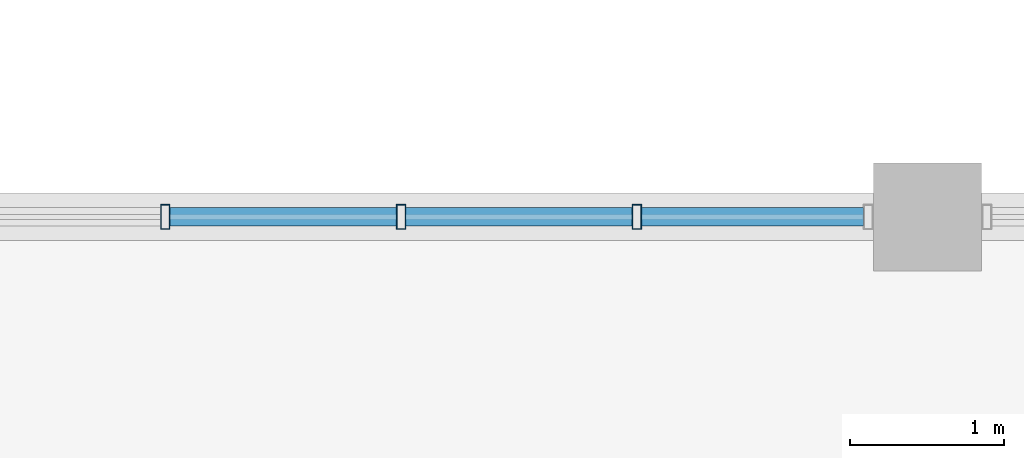
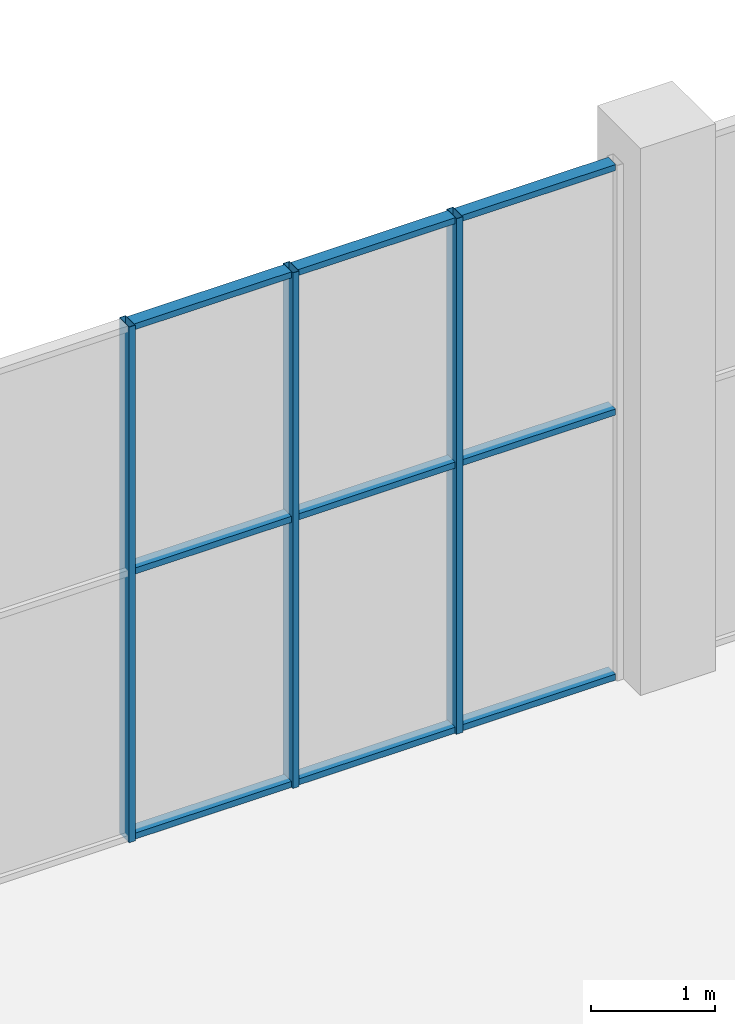
# One storey, part 28 of 91: 12 members, 1 element without a shape of its own.
"""IFC4 building model written with IfcOpenShell, lengths in metres."""

from ifc_helpers import new_model, si_unit, direction, frame, origin, origin_2d, place, context, subcontext, project, spatial, hollow_rectangle, extrude, material, material_profile, profile_set, type_object, element, aggregate, save


model = new_model("IFC4")

# Units and contexts
model_context = context("Model", 3, precision=1e-05, world=origin(), true_north=direction((0.0, 1.0)))
body_context = subcontext(model_context, "Body", "Model", "MODEL_VIEW")
ifc_project = project(units=[si_unit("LENGTHUNIT", "METRE"), si_unit("AREAUNIT", "SQUARE_METRE"), si_unit("VOLUMEUNIT", "CUBIC_METRE"), si_unit("PLANEANGLEUNIT", "RADIAN"), si_unit("MASSUNIT", "GRAM", prefix="KILO")], contexts=[model_context])

# Site, building, storey
site_placement = place(None, origin())
site = spatial("IfcSite", under=ifc_project, at=site_placement, CompositionType="ELEMENT")
building_placement = place(site_placement, origin())
building = spatial("IfcBuilding", under=site, at=building_placement, Name="Khurvash Pelagic Aquarium", CompositionType="ELEMENT")
storey_placement = place(building_placement, origin())
storey = spatial("IfcBuildingStorey", under=building, at=storey_placement, Name="L00", CompositionType="ELEMENT", Elevation=0.0)

# Curtain wall, members
ifc_material_1 = material(Name="Anodised aluminium and low-E laminated glass", Category="aluminium")
curtain_wall_type = type_object("IfcCurtainWallType", Name="CW-02", PredefinedType="USERDEFINED", material=ifc_material_1)
curtain_wall_placement = place(storey_placement, origin())
curtain_wall = element("IfcCurtainWall", 1, at=curtain_wall_placement, inside=storey, type_object=curtain_wall_type, Name="L00 Facade Unitised Curtain Wall CW-02 0091", ObjectType="UNITISED CURTAIN WALL", PredefinedType="USERDEFINED")
ifc_material_2 = material(Name="Extruded aluminium AW-6063-T6", Category="aluminium")
ifc_material_profile_1 = material_profile(ifc_material_2, hollow_rectangle(XDim=0.06005859375, YDim=0.159912109375, WallThickness=0.00390625, at=origin_2d()), Name="CWM60X160X4")
ifc_profile_set_1 = profile_set([ifc_material_profile_1], Name="Extruded aluminium AW-6063-T6")
member_type_1 = type_object("IfcMemberType", Name="CM-02", PredefinedType="MULLION", material=ifc_profile_set_1)
member_1_placement = place(storey_placement, frame((115.717041015625, 29.75, 0.0), z_axis=(0.0, 0.0, 1.0), x_axis=(-1.0, 0.0, 0.0)))
member_1 = element("IfcMember", 2, at=member_1_placement, type_object=member_type_1, Name="CW-02 mullion 2", PredefinedType="MULLION", context=body_context, shape_type="SweptSolid", body=[
    extrude(hollow_rectangle(XDim=0.06005859375, YDim=0.159912109375, WallThickness=0.00390625, at=origin_2d()), origin(), (0.0, 0.0, 1.0), 5.090087890625),
])
member_2_placement = place(storey_placement, frame((114.18896484375, 29.75, 0.0), z_axis=(0.0, 0.0, 1.0), x_axis=(-1.0, 0.0, 0.0)))
member_2 = element("IfcMember", 3, at=member_2_placement, type_object=member_type_1, Name="CW-02 mullion 3", PredefinedType="MULLION", context=body_context, shape_type="SweptSolid", body=[
    extrude(hollow_rectangle(XDim=0.06005859375, YDim=0.159912109375, WallThickness=0.00390625, at=origin_2d()), origin(), (0.0, 0.0, 1.0), 5.090087890625),
])
member_3_placement = place(storey_placement, frame((112.660888671875, 29.75, 0.0), z_axis=(0.0, 0.0, 1.0), x_axis=(-1.0, 0.0, 0.0)))
member_3 = element("IfcMember", 4, at=member_3_placement, type_object=member_type_1, Name="CW-02 mullion 4", PredefinedType="MULLION", context=body_context, shape_type="SweptSolid", body=[
    extrude(hollow_rectangle(XDim=0.06005859375, YDim=0.159912109375, WallThickness=0.00390625, at=origin_2d()), origin(), (0.0, 0.0, 1.0), 5.090087890625),
])
ifc_material_profile_2 = material_profile(ifc_material_2, hollow_rectangle(XDim=0.1201171875, YDim=0.06005859375, WallThickness=0.00390625, at=origin_2d()), Name="CWT120X60X4")
ifc_profile_set_2 = profile_set([ifc_material_profile_2], Name="Extruded aluminium AW-6063-T6")
member_type_2 = type_object("IfcMemberType", Name="CT-02", PredefinedType="USERDEFINED", material=ifc_profile_set_2)
member_4_placement = place(storey_placement, frame((117.18505859375, 29.75, 0.030029296875), z_axis=(-1.0, 0.0, 0.0), x_axis=(0.0, -1.0, 0.0)))
member_4 = element("IfcMember", 5, at=member_4_placement, type_object=member_type_2, Name="CW-02 transom 1.1", ObjectType="TRANSOM", PredefinedType="USERDEFINED", context=body_context, shape_type="SweptSolid", body=[
    extrude(hollow_rectangle(XDim=0.1201171875, YDim=0.06005859375, WallThickness=0.00390625, at=origin_2d()), origin(), (0.0, 0.0, 1.0), 1.43798828125),
])
member_5_placement = place(storey_placement, frame((117.18505859375, 29.75, 2.64697265625), z_axis=(-1.0, 0.0, 0.0), x_axis=(0.0, -1.0, 0.0)))
member_5 = element("IfcMember", 6, at=member_5_placement, type_object=member_type_2, Name="CW-02 transom 1.2", ObjectType="TRANSOM", PredefinedType="USERDEFINED", context=body_context, shape_type="SweptSolid", body=[
    extrude(hollow_rectangle(XDim=0.1201171875, YDim=0.06005859375, WallThickness=0.00390625, at=origin_2d()), origin(), (0.0, 0.0, 1.0), 1.43798828125),
])
member_6_placement = place(storey_placement, frame((117.18505859375, 29.75, 5.06005859375), z_axis=(-1.0, 0.0, 0.0), x_axis=(0.0, -1.0, 0.0)))
member_6 = element("IfcMember", 7, at=member_6_placement, type_object=member_type_2, Name="CW-02 transom 1.3", ObjectType="TRANSOM", PredefinedType="USERDEFINED", context=body_context, shape_type="SweptSolid", body=[
    extrude(hollow_rectangle(XDim=0.1201171875, YDim=0.06005859375, WallThickness=0.00390625, at=origin_2d()), origin(), (0.0, 0.0, 1.0), 1.43798828125),
])
member_7_placement = place(storey_placement, frame((115.68701171875, 29.75, 0.030029296875), z_axis=(-1.0, 0.0, 0.0), x_axis=(0.0, -1.0, 0.0)))
member_7 = element("IfcMember", 8, at=member_7_placement, type_object=member_type_2, Name="CW-02 transom 2.1", ObjectType="TRANSOM", PredefinedType="USERDEFINED", context=body_context, shape_type="SweptSolid", body=[
    extrude(hollow_rectangle(XDim=0.1201171875, YDim=0.06005859375, WallThickness=0.00390625, at=origin_2d()), origin(), (0.0, 0.0, 1.0), 1.468017578125),
])
member_8_placement = place(storey_placement, frame((115.68701171875, 29.75, 2.64697265625), z_axis=(-1.0, 0.0, 0.0), x_axis=(0.0, -1.0, 0.0)))
member_8 = element("IfcMember", 9, at=member_8_placement, type_object=member_type_2, Name="CW-02 transom 2.2", ObjectType="TRANSOM", PredefinedType="USERDEFINED", context=body_context, shape_type="SweptSolid", body=[
    extrude(hollow_rectangle(XDim=0.1201171875, YDim=0.06005859375, WallThickness=0.00390625, at=origin_2d()), origin(), (0.0, 0.0, 1.0), 1.468017578125),
])
member_9_placement = place(storey_placement, frame((115.68701171875, 29.75, 5.06005859375), z_axis=(-1.0, 0.0, 0.0), x_axis=(0.0, -1.0, 0.0)))
member_9 = element("IfcMember", 10, at=member_9_placement, type_object=member_type_2, Name="CW-02 transom 2.3", ObjectType="TRANSOM", PredefinedType="USERDEFINED", context=body_context, shape_type="SweptSolid", body=[
    extrude(hollow_rectangle(XDim=0.1201171875, YDim=0.06005859375, WallThickness=0.00390625, at=origin_2d()), origin(), (0.0, 0.0, 1.0), 1.468017578125),
])
member_10_placement = place(storey_placement, frame((114.158935546875, 29.75, 0.030029296875), z_axis=(-1.0, 0.0, 0.0), x_axis=(0.0, -1.0, 0.0)))
member_10 = element("IfcMember", 11, at=member_10_placement, type_object=member_type_2, Name="CW-02 transom 3.1", ObjectType="TRANSOM", PredefinedType="USERDEFINED", context=body_context, shape_type="SweptSolid", body=[
    extrude(hollow_rectangle(XDim=0.1201171875, YDim=0.06005859375, WallThickness=0.00390625, at=origin_2d()), origin(), (0.0, 0.0, 1.0), 1.468017578125),
])
member_11_placement = place(storey_placement, frame((114.158935546875, 29.75, 2.64697265625), z_axis=(-1.0, 0.0, 0.0), x_axis=(0.0, -1.0, 0.0)))
member_11 = element("IfcMember", 12, at=member_11_placement, type_object=member_type_2, Name="CW-02 transom 3.2", ObjectType="TRANSOM", PredefinedType="USERDEFINED", context=body_context, shape_type="SweptSolid", body=[
    extrude(hollow_rectangle(XDim=0.1201171875, YDim=0.06005859375, WallThickness=0.00390625, at=origin_2d()), origin(), (0.0, 0.0, 1.0), 1.468017578125),
])
member_12_placement = place(storey_placement, frame((114.158935546875, 29.75, 5.06005859375), z_axis=(-1.0, 0.0, 0.0), x_axis=(0.0, -1.0, 0.0)))
member_12 = element("IfcMember", 13, at=member_12_placement, type_object=member_type_2, Name="CW-02 transom 3.3", ObjectType="TRANSOM", PredefinedType="USERDEFINED", context=body_context, shape_type="SweptSolid", body=[
    extrude(hollow_rectangle(XDim=0.1201171875, YDim=0.06005859375, WallThickness=0.00390625, at=origin_2d()), origin(), (0.0, 0.0, 1.0), 1.468017578125),
])
aggregate(curtain_wall, [member_1, member_2, member_3, member_4, member_5, member_6, member_7, member_8, member_9, member_10, member_11, member_12])

save(model, "model.ifc")
